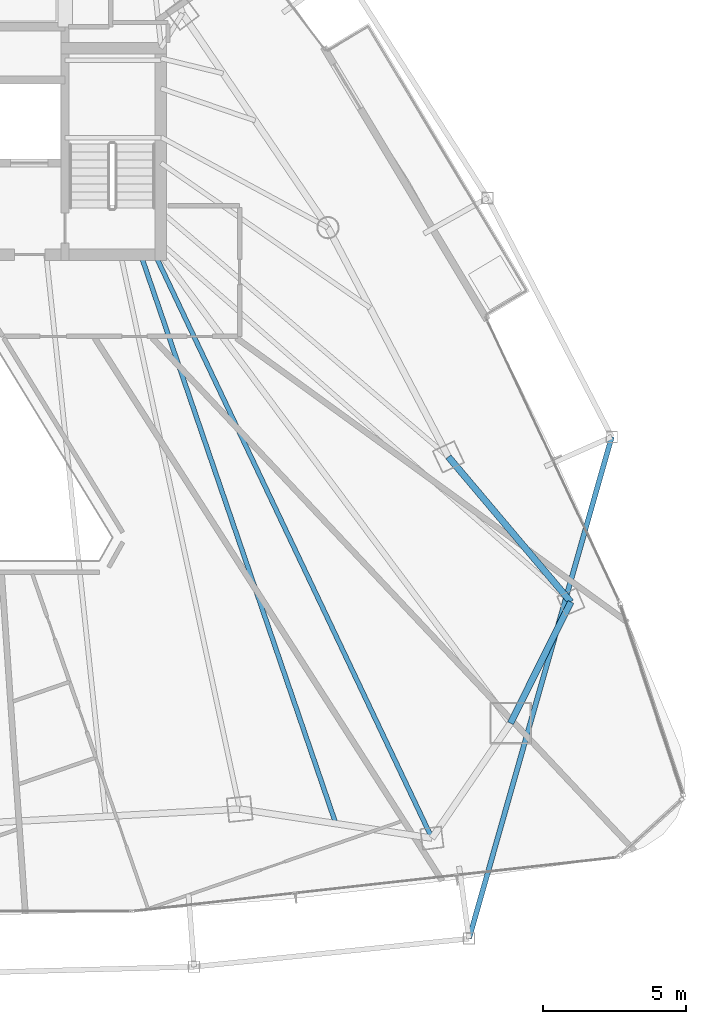
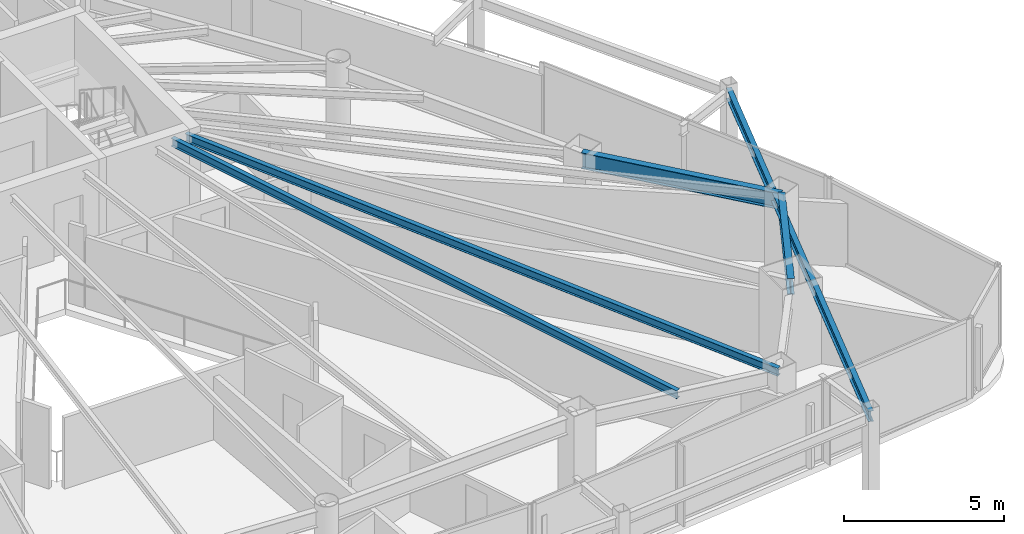
# One storey, part 13 of 29: 5 beams.
"""IFC4 building model written with IfcOpenShell, lengths in metres."""

from ifc_helpers import new_model, si_unit, direction, frame, origin, origin_2d, place, context, subcontext, project, spatial, i_section, extrude, material, material_profile, profile_set, type_object, element, save


model = new_model("IFC4")

# Units and contexts
model_context = context("Model", 3, precision=1e-05, world=origin(), true_north=direction((0.0, 1.0)))
body_context = subcontext(model_context, "Body", "Model", "MODEL_VIEW")
ifc_project = project(units=[si_unit("LENGTHUNIT", "METRE"), si_unit("AREAUNIT", "SQUARE_METRE"), si_unit("VOLUMEUNIT", "CUBIC_METRE"), si_unit("PLANEANGLEUNIT", "RADIAN"), si_unit("MASSUNIT", "GRAM", prefix="KILO")], contexts=[model_context])

# Site, building, storey
site_placement = place(None, origin())
site = spatial("IfcSite", under=ifc_project, at=site_placement, CompositionType="ELEMENT")
building_placement = place(site_placement, origin())
building = spatial("IfcBuilding", under=site, at=building_placement, Name="Orvanel Arch Residences", CompositionType="ELEMENT")
storey_placement = place(building_placement, frame((0.0, 0.0, 163.85009765625)))
storey = spatial("IfcBuildingStorey", under=building, at=storey_placement, Name="L46", CompositionType="ELEMENT", Elevation=163.85009765625)

# Beams
ifc_material = material(Name="Structural steel AS/NZS 3679.1 Grade 300 (300 MPa)", Category="steel")
ifc_material_profile_1 = material_profile(ifc_material, i_section(OverallWidth=0.1650390625, OverallDepth=0.303955078125, WebThickness=0.006103515625, FlangeThickness=0.01025390625, at=origin_2d()), Name="310UB40.4")
ifc_profile_set_1 = profile_set([ifc_material_profile_1], Name="Structural steel AS/NZS 3679.1 Grade 300 (300 MPa)")
beam_type_1 = type_object("IfcBeamType", Name="BJ-310UB", PredefinedType="JOIST", material=ifc_profile_set_1)
beam_1_placement = place(storey_placement, frame((39.39990234375, 26.699951171875, 2.907958984375), z_axis=(0.428614365266, -0.903487534993, 0.0), x_axis=(0.903487534993, 0.428614365266, 0.0)))
element("IfcBeam", 1, at=beam_1_placement, inside=storey, type_object=beam_type_1, Name="L46 MSE Wing Floor Joist", PredefinedType="JOIST", context=body_context, shape_type="SweptSolid", body=[
    extrude(i_section(OverallWidth=0.1650390625, OverallDepth=0.303955078125, WebThickness=0.006103515625, FlangeThickness=0.01025390625, at=origin_2d()), origin(), (0.0, 0.0, 1.0), 22.535888671875),
])
beam_2_placement = place(storey_placement, frame((38.89990234375, 26.699951171875, 2.907958984375), z_axis=(0.324257108963, -0.945968988544, 0.0), x_axis=(0.945968988544, 0.324257108963, 0.0)))
element("IfcBeam", 2, at=beam_2_placement, inside=storey, type_object=beam_type_1, Name="L46 JADD2 Wing Floor Joist", PredefinedType="JOIST", context=body_context, shape_type="SweptSolid", body=[
    extrude(i_section(OverallWidth=0.1650390625, OverallDepth=0.303955078125, WebThickness=0.006103515625, FlangeThickness=0.01025390625, at=origin_2d()), origin(), (0.0, 0.0, 1.0), 20.987060546875),
])
ifc_material_profile_2 = material_profile(ifc_material, i_section(OverallWidth=0.177978515625, OverallDepth=0.406005859375, WebThickness=0.0078125, FlangeThickness=0.0126953125, at=origin_2d()), Name="410UB59.7")
ifc_profile_set_2 = profile_set([ifc_material_profile_2], Name="Structural steel AS/NZS 3679.1 Grade 300 (300 MPa)")
beam_type_2 = type_object("IfcBeamType", Name="OB-410UB-EXT", PredefinedType="SPANDREL", material=ifc_profile_set_2)
beam_3_placement = place(storey_placement, frame((50.35302734375, 2.8349609375, 2.85693359375), z_axis=(0.27352345483, 0.961865333432, 0.0), x_axis=(-0.961865333432, 0.27352345483, 0.0)))
element("IfcBeam", 3, at=beam_3_placement, inside=storey, type_object=beam_type_2, Name="L46 Outer Perimeter Floor Ring Beam 08", PredefinedType="SPANDREL", context=body_context, shape_type="SweptSolid", body=[
    extrude(i_section(OverallWidth=0.177978515625, OverallDepth=0.406005859375, WebThickness=0.0078125, FlangeThickness=0.0126953125, at=origin_2d()), origin(), (0.0, 0.0, 1.0), 18.203125),
])
ifc_material_profile_3 = material_profile(ifc_material, i_section(OverallWidth=0.22900390625, OverallDepth=0.612060546875, WebThickness=0.011962890625, FlangeThickness=0.01953125, at=origin_2d()), Name="610UB125")
ifc_profile_set_3 = profile_set([ifc_material_profile_3], Name="Structural steel AS/NZS 3679.1 Grade 300 (300 MPa)")
beam_type_3 = type_object("IfcBeamType", Name="SP-610UB", PredefinedType="SPANDREL", material=ifc_profile_set_3)
beam_4_placement = place(storey_placement, frame((51.801025390625, 10.35107421875, 2.75390625), z_axis=(0.44543469453, 0.895314432425, 0.0), x_axis=(-0.895314432425, 0.44543469453, 0.0)))
element("IfcBeam", 4, at=beam_4_placement, inside=storey, type_object=beam_type_3, Name="L46 Perimeter Spandrel Beam 09", PredefinedType="SPANDREL", context=body_context, shape_type="SweptSolid", body=[
    extrude(i_section(OverallWidth=0.22900390625, OverallDepth=0.612060546875, WebThickness=0.011962890625, FlangeThickness=0.01953125, at=origin_2d()), origin(), (0.0, 0.0, 1.0), 4.723388671875),
])
beam_5_placement = place(storey_placement, frame((53.905029296875, 14.580078125, 2.75390625), z_axis=(-0.644950329775, 0.764224490659, 0.0), x_axis=(-0.764224490659, -0.644950329775, 0.0)))
element("IfcBeam", 5, at=beam_5_placement, inside=storey, type_object=beam_type_3, Name="L46 Perimeter Spandrel Beam 10", PredefinedType="SPANDREL", context=body_context, shape_type="SweptSolid", body=[
    extrude(i_section(OverallWidth=0.22900390625, OverallDepth=0.612060546875, WebThickness=0.011962890625, FlangeThickness=0.01953125, at=origin_2d()), origin(), (0.0, 0.0, 1.0), 6.623779296875),
])

save(model, "model.ifc")
